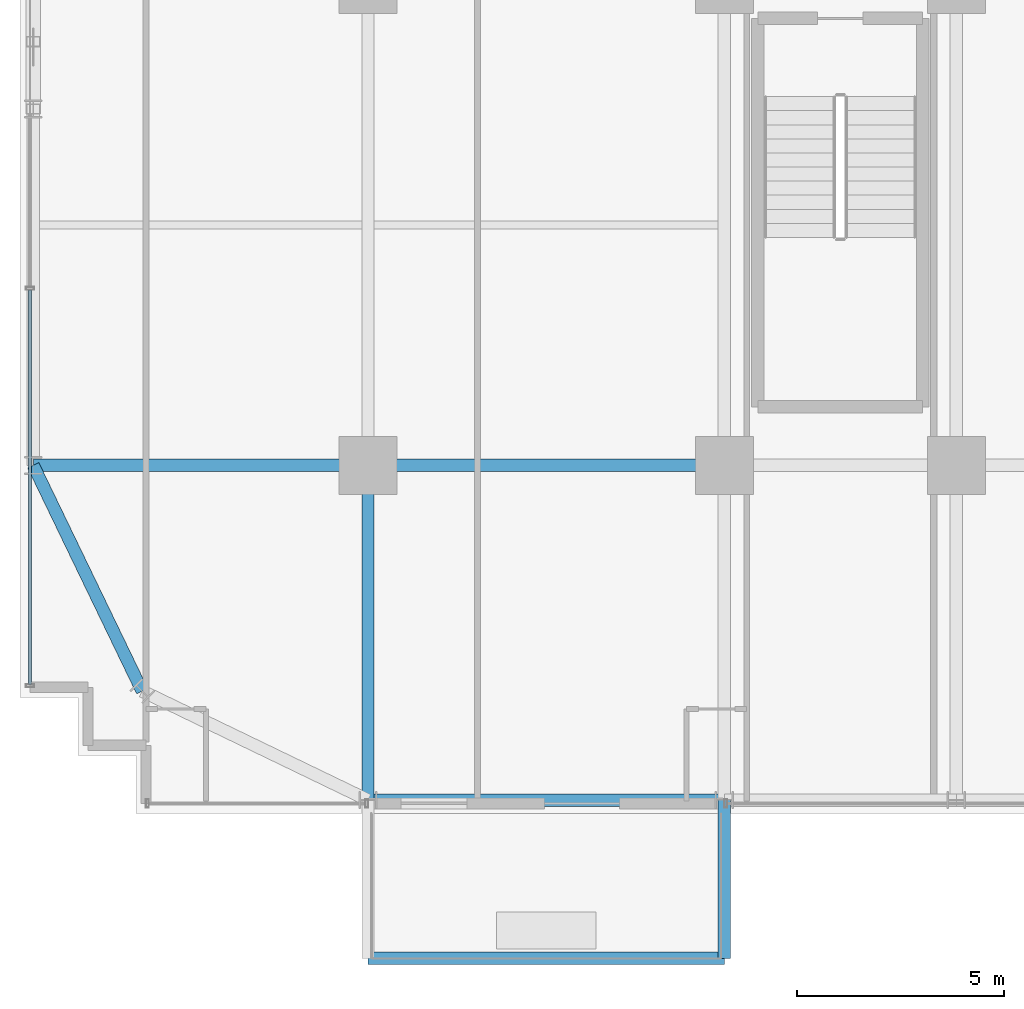
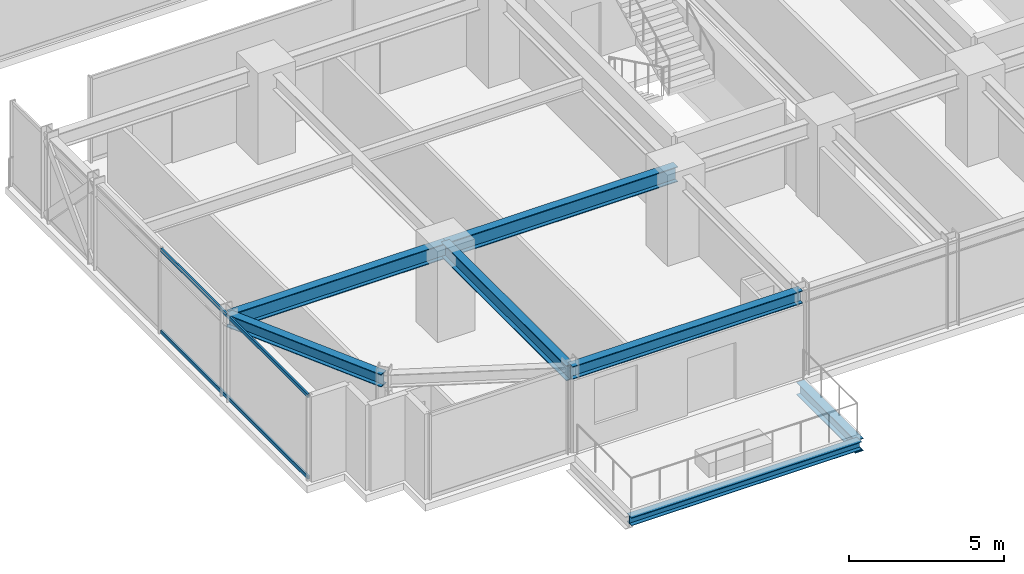
# One storey, part 4 of 43: 7 beams, 2 members, 1 element without a shape of its own.
"""IFC4 building model written with IfcOpenShell, lengths in metres."""

from ifc_helpers import new_model, si_unit, direction, frame, origin, origin_2d, place, context, subcontext, project, spatial, hollow_rectangle, i_section, extrude, source, transform, mapped, material, material_profile, profile_set, type_object, element, aggregate, save


model = new_model("IFC4")

# Units and contexts
model_context = context("Model", 3, precision=1e-05, world=origin(), true_north=direction((0.0, 1.0)))
body_context = subcontext(model_context, "Body", "Model", "MODEL_VIEW")
ifc_project = project(units=[si_unit("LENGTHUNIT", "METRE"), si_unit("AREAUNIT", "SQUARE_METRE"), si_unit("VOLUMEUNIT", "CUBIC_METRE"), si_unit("PLANEANGLEUNIT", "RADIAN"), si_unit("MASSUNIT", "GRAM", prefix="KILO")], contexts=[model_context])

# Site, building, storey
site_placement = place(None, origin())
site = spatial("IfcSite", under=ifc_project, at=site_placement, CompositionType="ELEMENT")
building_placement = place(site_placement, origin())
building = spatial("IfcBuilding", under=site, at=building_placement, Name="Nahalor Promenade Grand Hotel", CompositionType="ELEMENT")
storey_placement = place(building_placement, frame((0.0, 0.0, 57.949951171875)))
storey = spatial("IfcBuildingStorey", under=building, at=storey_placement, Name="L13", CompositionType="ELEMENT", Elevation=57.949951171875)

# Beams
ifc_material_1 = material(Name="Steel S355JR", Category="steel")
ifc_material_profile_1 = material_profile(ifc_material_1, i_section(OverallWidth=0.3, OverallDepth=0.32, WebThickness=0.0115, FlangeThickness=0.0205, at=origin_2d()), Name="HEB 320")
ifc_profile_set_1 = profile_set([ifc_material_profile_1], Name="Steel S355JR")
beam_type_1 = type_object("IfcBeamType", Name="Beam-BalcEdge-HEB320", PredefinedType="SPANDREL", material=ifc_profile_set_1)
shared_shape_1 = source(origin(), body_context, "Body", "SweptSolid", [
    extrude(i_section(OverallWidth=0.3, OverallDepth=0.32, WebThickness=0.0115, FlangeThickness=0.0205, at=origin_2d()), origin(), (0.0, 0.0, 1.0), 8.60009765625),
])
beam_1_placement = place(storey_placement, frame((-17.0, -28.89990234375, -0.43994140625), z_axis=(1.0, 0.0, 0.0), x_axis=(0.0, 1.0, 0.0)))
element("IfcBeam", 1, at=beam_1_placement, inside=storey, type_object=beam_type_1, Name="BM-L13-BC-01-F", PredefinedType="SPANDREL", context=body_context, shape_type="MappedRepresentation", body=[
    mapped(shared_shape_1, transform((0.0, 0.0, 0.0), scale=1.0)),
])
ifc_material_profile_2 = material_profile(ifc_material_1, i_section(OverallWidth=0.3, OverallDepth=0.5, WebThickness=0.0145, FlangeThickness=0.028, at=origin_2d()), Name="HEB 500")
ifc_profile_set_2 = profile_set([ifc_material_profile_2], Name="Steel S355JR")
beam_type_2 = type_object("IfcBeamType", Name="Beam-Outrigger-HEB500", PredefinedType="BEAM", material=ifc_profile_set_2)
shared_shape_2 = source(origin(), body_context, "Body", "SweptSolid", [
    extrude(i_section(OverallWidth=0.3, OverallDepth=0.5, WebThickness=0.0145, FlangeThickness=0.028, at=origin_2d()), origin(), (0.0, 0.0, 1.0), 3.81982421875),
])
beam_2_placement = place(storey_placement, frame((-8.39990234375, -28.89990234375, -0.530029296875), z_axis=(0.0, 1.0, 0.0), x_axis=(-1.0, 0.0, 0.0)))
element("IfcBeam", 2, at=beam_2_placement, inside=storey, type_object=beam_type_2, Name="BM-L13-BC-01-2", PredefinedType="BEAM", context=body_context, shape_type="MappedRepresentation", body=[
    mapped(shared_shape_2, transform((0.0, 0.0, 0.0), scale=1.0)),
])
ifc_material_profile_3 = material_profile(ifc_material_1, i_section(OverallWidth=0.3, OverallDepth=0.6, WebThickness=0.0155, FlangeThickness=0.03, at=origin_2d()), Name="HEB 600")
ifc_profile_set_3 = profile_set([ifc_material_profile_3], Name="Steel S355JR")
beam_type_3 = type_object("IfcBeamType", Name="Beam-Girder-HEB600", PredefinedType="BEAM", material=ifc_profile_set_3)
shared_shape_3 = source(origin(), body_context, "Body", "SweptSolid", [
    extrude(i_section(OverallWidth=0.3, OverallDepth=0.6, WebThickness=0.0155, FlangeThickness=0.03, at=origin_2d()), origin(), (0.0, 0.0, 1.0), 8.60009765625),
])
beam_3_placement = place(storey_placement, frame((-17.0, -17.0, 3.070068359375), z_axis=(1.0, 0.0, 0.0), x_axis=(0.0, 1.0, 0.0)))
element("IfcBeam", 3, at=beam_3_placement, inside=storey, type_object=beam_type_3, Name="BM-L13-GX-0-1", PredefinedType="BEAM", context=body_context, shape_type="MappedRepresentation", body=[
    mapped(shared_shape_3, transform((0.0, 0.0, 0.0), scale=1.0)),
])
ifc_material_profile_4 = material_profile(ifc_material_1, i_section(OverallWidth=0.3, OverallDepth=0.5, WebThickness=0.0145, FlangeThickness=0.028, at=origin_2d()), Name="HEB 500")
ifc_profile_set_4 = profile_set([ifc_material_profile_4], Name="Steel S355JR")
beam_type_4 = type_object("IfcBeamType", Name="Beam-Spandrel-HEB500", PredefinedType="SPANDREL", material=ifc_profile_set_4)
shared_shape_4 = source(origin(), body_context, "Body", "SweptSolid", [
    extrude(i_section(OverallWidth=0.3, OverallDepth=0.5, WebThickness=0.0145, FlangeThickness=0.028, at=origin_2d()), origin(), (0.0, 0.0, 1.0), 8.60009765625),
])
beam_4_placement = place(storey_placement, frame((-17.0, -25.080078125, 3.1201171875), z_axis=(1.0, 0.0, 0.0), x_axis=(0.0, 1.0, 0.0)))
element("IfcBeam", 4, at=beam_4_placement, inside=storey, type_object=beam_type_4, Name="BM-L13-SP-S-0", PredefinedType="SPANDREL", context=body_context, shape_type="MappedRepresentation", body=[
    mapped(shared_shape_4, transform((0.0, 0.0, 0.0), scale=1.0)),
])
shared_shape_5 = source(origin(), body_context, "Body", "SweptSolid", [
    extrude(i_section(OverallWidth=0.3, OverallDepth=0.6, WebThickness=0.0155, FlangeThickness=0.03, at=origin_2d()), origin(), (0.0, 0.0, 1.0), 8.080078125),
])
for number, where, z_axis, x_axis, name in (
    (5, (-25.080078125, -17.0, 3.070068359375), (1.0, 0.0, 0.0), (0.0, 1.0, 0.0), "BM-L13-GX-0-0"),
    (6, (-17.0, -25.080078125, 3.070068359375), (0.0, 1.0, 0.0), (-1.0, 0.0, 0.0), "BM-L13-GY-0-0"),
):
    element("IfcBeam", number, at=place(storey_placement, frame(where, z_axis=z_axis, x_axis=x_axis)), inside=storey, type_object=beam_type_3, Name=name, PredefinedType="BEAM", context=body_context, shape_type="MappedRepresentation", body=[
        mapped(shared_shape_5, transform((0.0, 0.0, 0.0), scale=1.0)),
    ])
shared_shape_6 = source(origin(), body_context, "Body", "SweptSolid", [
    extrude(i_section(OverallWidth=0.3, OverallDepth=0.5, WebThickness=0.0145, FlangeThickness=0.028, at=origin_2d()), origin(), (0.0, 0.0, 1.0), 6.051513671875),
])
beam_5_placement = place(storey_placement, frame((-22.449951171875, -22.449951171875, 3.1201171875), z_axis=(-0.434630596492, 0.900608818852, 0.0), x_axis=(-0.900608818852, -0.434630596492, 0.0)))
element("IfcBeam", 7, at=beam_5_placement, inside=storey, type_object=beam_type_4, Name="BM-L13-SPC-SW-2", PredefinedType="SPANDREL", context=body_context, shape_type="MappedRepresentation", body=[
    mapped(shared_shape_6, transform((0.0, 0.0, 0.0), scale=1.0)),
])

# Curtain wall, members
ifc_material_2 = material(Name="Anodised Bronze Aluminium EN AW-6063 T6", Category="aluminium")
curtain_wall_type = type_object("IfcCurtainWallType", Name="CW3 Elliptical-Void Collar Unitised Curtain Wall", PredefinedType="USERDEFINED", material=ifc_material_2)
curtain_wall_placement = place(storey_placement, origin())
curtain_wall = element("IfcCurtainWall", 8, at=curtain_wall_placement, inside=storey, type_object=curtain_wall_type, Name="L13 Curtain Wall CW-L13-W-1", ObjectType="UNITISED_CURTAIN_WALL", PredefinedType="USERDEFINED")
ifc_material_profile_5 = material_profile(ifc_material_2, hollow_rectangle(XDim=0.07, YDim=0.14, WallThickness=0.004, at=origin_2d()), Name="CWT 70x140x4")
ifc_profile_set_5 = profile_set([ifc_material_profile_5], Name="Anodised Bronze Aluminium EN AW-6063 T6")
member_type = type_object("IfcMemberType", Name="CWT3 Void Collar Transom 70x140", PredefinedType="USERDEFINED", material=ifc_profile_set_5)
shared_shape_7 = source(origin(), body_context, "Body", "SweptSolid", [
    extrude(hollow_rectangle(XDim=0.07, YDim=0.14, WallThickness=0.004, at=origin_2d()), origin(), (0.0, 0.0, 1.0), 9.525146484375),
])
member_1_placement = place(storey_placement, frame((-25.159912109375, -22.2900390625, 0.070068359375), z_axis=(0.0, 1.0, 0.0), x_axis=(-1.0, 0.0, 0.0)))
member_1 = element("IfcMember", 9, at=member_1_placement, type_object=member_type, Name="CW-L13-W-1 Transom 0-0", ObjectType="TRANSOM", PredefinedType="USERDEFINED", context=body_context, shape_type="MappedRepresentation", body=[
    mapped(shared_shape_7, transform((0.0, 0.0, 0.0), scale=1.0)),
])
member_2_placement = place(storey_placement, frame((-25.159912109375, -22.2900390625, 3.300048828125), z_axis=(0.0, 1.0, 0.0), x_axis=(-1.0, 0.0, 0.0)))
member_2 = element("IfcMember", 10, at=member_2_placement, type_object=member_type, Name="CW-L13-W-1 Transom 0-1", ObjectType="TRANSOM", PredefinedType="USERDEFINED", context=body_context, shape_type="MappedRepresentation", body=[
    mapped(shared_shape_7, transform((0.0, 0.0, 0.0), scale=1.0)),
])
aggregate(curtain_wall, [member_1, member_2])

save(model, "model.ifc")
